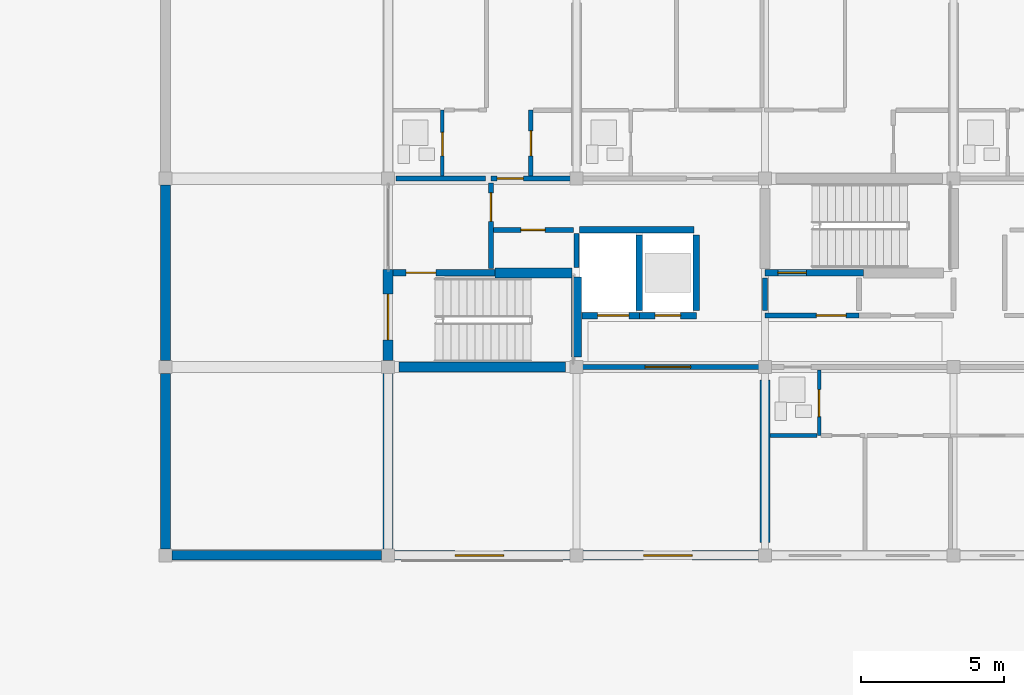
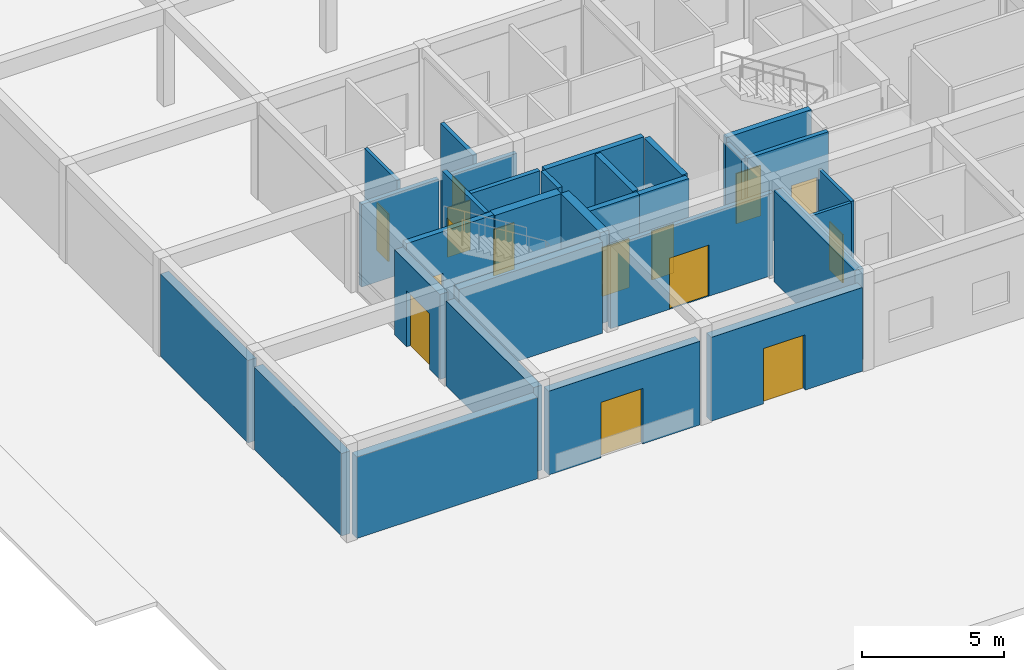
# One storey, part 48 of 75: 30 walls, 15 doors, 15 openings.
"""IFC4 building model written with IfcOpenShell, lengths in metres."""

from ifc_helpers import new_model, si_unit, direction, frame, frame_2d, origin, place, context, subcontext, project, spatial, rectangle, extrude, material, layer, layer_set, type_object, element, fill, save


model = new_model("IFC4")

# Units and contexts
model_context = context("Model", 3, precision=1e-05, world=origin(), true_north=direction((0.0, 1.0)))
body_context = subcontext(model_context, "Body", "Model", "MODEL_VIEW")
ifc_project = project(units=[si_unit("LENGTHUNIT", "METRE"), si_unit("AREAUNIT", "SQUARE_METRE"), si_unit("VOLUMEUNIT", "CUBIC_METRE"), si_unit("PLANEANGLEUNIT", "RADIAN"), si_unit("MASSUNIT", "GRAM", prefix="KILO")], contexts=[model_context])

# Site, building, storey
site_placement = place(None, origin())
site = spatial("IfcSite", under=ifc_project, at=site_placement, CompositionType="ELEMENT")
building_placement = place(site_placement, origin())
building = spatial("IfcBuilding", under=site, at=building_placement, Name="Kernevlak Ridge Housing Community", CompositionType="ELEMENT")
storey_placement = place(building_placement, origin())
storey = spatial("IfcBuildingStorey", under=building, at=storey_placement, Name="L00", CompositionType="ELEMENT", Elevation=0.0)

# Wall, opening, door
ifc_material_1 = material(Name="Concrete block masonry M10", Category="masonry")
ifc_layer_1 = layer(ifc_material_1, 0.340087890625, Name="Concrete block masonry M10")
ifc_layer_set_1 = layer_set([ifc_layer_1], Name="Concrete block masonry M10")
wall_type_1 = type_object("IfcWallType", Name="EW-04", PredefinedType="STANDARD", material=ifc_layer_set_1)
wall_1_placement = place(storey_placement, frame((15.824951171875, 15.60009765625, 0.0), z_axis=(0.0, 0.0, 1.0), x_axis=(1.0, 0.0, 0.0)))
wall_1 = element("IfcWall", 1, at=wall_1_placement, inside=storey, type_object=wall_type_1, Name="Exterior wall EW-04 L00 715", PredefinedType="STANDARD", context=body_context, shape_type="SweptSolid", body=[
    extrude(rectangle(XDim=6.150146484375, YDim=0.340087890625, at=frame_2d((3.0751953125, 0.0))), origin(), (0.0, 0.0, 1.0), 3.60009765625),
])
opening_1_placement = place(wall_1_placement, frame((2.125, 0.0, 0.0)))
opening_1 = element("IfcOpeningElement", 2, at=opening_1_placement, cuts=wall_1, Name="Opening E487", PredefinedType="OPENING", context=body_context, shape_type="SweptSolid", body=[
    extrude(rectangle(XDim=1.699951171875, YDim=2.3798828125, at=frame_2d((0.85009765625, 1.18994140625))), frame((0.0, 0.179931640625, 0.0), z_axis=(0.0, -1.0, 0.0), x_axis=(1.0, 0.0, 0.0)), (0.0, 0.0, 1.0), 0.360107421875),
])
ifc_material_2 = material(Name="Aluminium EN AW-6060 and laminated safety glass", Category="aluminium")
door_type_1 = type_object("IfcDoorType", Name="DT-35", OperationType="DOUBLE_DOOR_SINGLE_SWING", PredefinedType="DOOR", material=ifc_material_2)
door_1_placement = place(opening_1_placement, origin())
door_1 = element("IfcDoor", 3, at=door_1_placement, inside=storey, type_object=door_type_1, Name="Block D Main pedestrian entrance exit E487", OperationType="DOUBLE_DOOR_SINGLE_SWING", OverallHeight=2.3798828125, OverallWidth=1.699951171875, PredefinedType="DOOR", context=body_context, shape_type="SweptSolid", body=[
    extrude(rectangle(XDim=1.699951171875, YDim=2.3798828125, at=frame_2d((0.85009765625, 1.18994140625))), frame((0.0, 0.02490234375, 0.0), z_axis=(0.0, -1.0, 0.0), x_axis=(1.0, 0.0, 0.0)), (0.0, 0.0, 1.0), 0.050048828125),
])
fill(opening_1, door_1)

wall_2_placement = place(storey_placement, frame((22.425048828125, 15.60009765625, 0.0), z_axis=(0.0, 0.0, 1.0), x_axis=(1.0, 0.0, 0.0)))
wall_2 = element("IfcWall", 4, at=wall_2_placement, inside=storey, type_object=wall_type_1, Name="Exterior wall EW-04 L00 716", PredefinedType="STANDARD", context=body_context, shape_type="SweptSolid", body=[
    extrude(rectangle(XDim=6.14990234375, YDim=0.340087890625, at=frame_2d((3.074951171875, 0.0))), origin(), (0.0, 0.0, 1.0), 3.60009765625),
])
opening_2_placement = place(wall_2_placement, frame((2.125, 0.0, 0.0)))
opening_2 = element("IfcOpeningElement", 5, at=opening_2_placement, cuts=wall_2, Name="Opening E488", PredefinedType="OPENING", context=body_context, shape_type="SweptSolid", body=[
    extrude(rectangle(XDim=1.699951171875, YDim=2.3798828125, at=frame_2d((0.85009765625, 1.18994140625))), frame((0.0, 0.179931640625, 0.0), z_axis=(0.0, -1.0, 0.0), x_axis=(1.0, 0.0, 0.0)), (0.0, 0.0, 1.0), 0.360107421875),
])
door_2_placement = place(opening_2_placement, origin())
door_2 = element("IfcDoor", 6, at=door_2_placement, inside=storey, type_object=door_type_1, Name="Block D Main pedestrian entrance exit E488", OperationType="DOUBLE_DOOR_SINGLE_SWING", OverallHeight=2.3798828125, OverallWidth=1.699951171875, PredefinedType="DOOR", context=body_context, shape_type="SweptSolid", body=[
    extrude(rectangle(XDim=1.699951171875, YDim=2.3798828125, at=frame_2d((0.85009765625, 1.18994140625))), frame((0.0, 0.02490234375, 0.0), z_axis=(0.0, -1.0, 0.0), x_axis=(1.0, 0.0, 0.0)), (0.0, 0.0, 1.0), 0.050048828125),
])
fill(opening_2, door_2)

# Walls
wall_3_placement = place(storey_placement, frame((15.60009765625, 15.824951171875, 0.0), z_axis=(0.0, 0.0, 1.0), x_axis=(0.0, 1.0, 0.0)))
element("IfcWall", 7, at=wall_3_placement, inside=storey, type_object=wall_type_1, Name="Exterior wall EW-04 L00 723", PredefinedType="STANDARD", context=body_context, shape_type="SweptSolid", body=[
    extrude(rectangle(XDim=6.150146484375, YDim=0.340087890625, at=frame_2d((3.0751953125, 0.0))), origin(), (0.0, 0.0, 1.0), 3.64990234375),
])
wall_4_placement = place(storey_placement, frame((7.800048828125, 15.824951171875, 0.0), z_axis=(0.0, 0.0, 1.0), x_axis=(0.0, 1.0, 0.0)))
element("IfcWall", 8, at=wall_4_placement, inside=storey, type_object=wall_type_1, Name="Exterior wall EW-04 L00 855", PredefinedType="STANDARD", context=body_context, shape_type="SweptSolid", body=[
    extrude(rectangle(XDim=6.150146484375, YDim=0.340087890625, at=frame_2d((3.0751953125, 0.0))), origin(), (0.0, 0.0, 1.0), 3.550048828125),
])
wall_5_placement = place(storey_placement, frame((7.800048828125, 22.425048828125, 0.0), z_axis=(0.0, 0.0, 1.0), x_axis=(0.0, 1.0, 0.0)))
element("IfcWall", 9, at=wall_5_placement, inside=storey, type_object=wall_type_1, Name="Exterior wall EW-04 L00 856", PredefinedType="STANDARD", context=body_context, shape_type="SweptSolid", body=[
    extrude(rectangle(XDim=6.14990234375, YDim=0.340087890625, at=frame_2d((3.074951171875, 0.0))), origin(), (0.0, 0.0, 1.0), 3.550048828125),
])
wall_6_placement = place(storey_placement, frame((8.02490234375, 15.60009765625, 0.0), z_axis=(0.0, 0.0, 1.0), x_axis=(1.0, 0.0, 0.0)))
element("IfcWall", 10, at=wall_6_placement, inside=storey, type_object=wall_type_1, Name="Exterior wall EW-04 L00 900", PredefinedType="STANDARD", context=body_context, shape_type="SweptSolid", body=[
    extrude(rectangle(XDim=7.35009765625, YDim=0.340087890625, at=frame_2d((3.675048828125, 0.0))), origin(), (0.0, 0.0, 1.0), 3.5),
])

# Wall, opening, door
wall_7_placement = place(storey_placement, frame((15.60009765625, 22.425048828125, 0.0), z_axis=(0.0, 0.0, 1.0), x_axis=(0.0, 1.0, 0.0)))
wall_7 = element("IfcWall", 11, at=wall_7_placement, inside=storey, type_object=wall_type_1, Name="Exterior wall EW-04 L00 932", PredefinedType="STANDARD", context=body_context, shape_type="SweptSolid", body=[
    extrude(rectangle(XDim=3.18505859375, YDim=0.340087890625, at=frame_2d((1.592529296875, 0.0))), origin(), (0.0, 0.0, 1.0), 3.64990234375),
])
opening_3_placement = place(wall_7_placement, frame((0.72509765625, 0.0, 0.0)))
opening_3 = element("IfcOpeningElement", 12, at=opening_3_placement, cuts=wall_7, Name="Opening E831", PredefinedType="OPENING", context=body_context, shape_type="SweptSolid", body=[
    extrude(rectangle(XDim=1.60009765625, YDim=2.39990234375, at=frame_2d((0.800048828125, 1.199951171875))), frame((0.0, 0.179931640625, 0.0), z_axis=(0.0, -1.0, 0.0), x_axis=(1.0, 0.0, 0.0)), (0.0, 0.0, 1.0), 0.360107421875),
])
door_type_2 = type_object("IfcDoorType", Name="DT-13", OperationType="DOUBLE_DOOR_SINGLE_SWING", PredefinedType="DOOR", material=ifc_material_2)
door_3_placement = place(opening_3_placement, origin())
door_3 = element("IfcDoor", 13, at=door_3_placement, inside=storey, type_object=door_type_2, Name="Block D Stair 1 exit discharge door E831", OperationType="DOUBLE_DOOR_SINGLE_SWING", OverallHeight=2.39990234375, OverallWidth=1.60009765625, PredefinedType="DOOR", context=body_context, shape_type="SweptSolid", body=[
    extrude(rectangle(XDim=1.60009765625, YDim=2.39990234375, at=frame_2d((0.800048828125, 1.199951171875))), frame((0.0, 0.02490234375, 0.0), z_axis=(0.0, -1.0, 0.0), x_axis=(1.0, 0.0, 0.0)), (0.0, 0.0, 1.0), 0.050048828125),
])
fill(opening_3, door_3)

ifc_material_3 = material(Name="Concrete C35/45", Category="concrete")
ifc_layer_2 = layer(ifc_material_3, 0.22509765625, Name="Concrete C35/45")
ifc_layer_set_2 = layer_set([ifc_layer_2], Name="Concrete C35/45")
wall_type_2 = type_object("IfcWallType", Name="PW-01", PredefinedType="STANDARD", material=ifc_layer_set_2)
wall_8_placement = place(storey_placement, frame((15.780029296875, 25.5, 0.0), z_axis=(0.0, 0.0, 1.0), x_axis=(1.0, 0.0, 0.0)))
wall_8 = element("IfcWall", 14, at=wall_8_placement, inside=storey, type_object=wall_type_2, Name="Interior wall PW-01 WAL-INT-L00-2917", PredefinedType="STANDARD", context=body_context, shape_type="SweptSolid", body=[
    extrude(rectangle(XDim=3.570068359375, YDim=0.22509765625, at=frame_2d((1.78515625, 0.0))), origin(), (0.0, 0.0, 1.0), 3.919921875),
])
opening_4_placement = place(wall_8_placement, frame((0.449951171875, 0.0, 0.0)))
opening_4 = element("IfcOpeningElement", 15, at=opening_4_placement, cuts=wall_8, Name="Opening E479", PredefinedType="OPENING", context=body_context, shape_type="SweptSolid", body=[
    extrude(rectangle(XDim=1.0400390625, YDim=2.1201171875, at=frame_2d((0.52001953125, 1.06005859375))), frame((0.0, 0.12255859375, 0.0), z_axis=(0.0, -1.0, 0.0), x_axis=(1.0, 0.0, 0.0)), (0.0, 0.0, 1.0), 0.2451171875),
])
ifc_material_4 = material(Name="Fire-rated sheet steel leaf", Category="steel")
door_type_3 = type_object("IfcDoorType", Name="DT-16", OperationType="NOTDEFINED", PredefinedType="DOOR", material=ifc_material_4)
door_4_placement = place(opening_4_placement, origin())
door_4 = element("IfcDoor", 16, at=door_4_placement, inside=storey, type_object=door_type_3, Name="Block D Stair 1 fire door E479", OperationType="SINGLE_SWING_RIGHT", OverallHeight=2.1201171875, OverallWidth=1.0400390625, PredefinedType="DOOR", context=body_context, shape_type="SweptSolid", body=[
    extrude(rectangle(XDim=1.0400390625, YDim=2.1201171875, at=frame_2d((0.52001953125, 1.06005859375))), frame((0.0, 0.02490234375, 0.0), z_axis=(0.0, -1.0, 0.0), x_axis=(1.0, 0.0, 0.0)), (0.0, 0.0, 1.0), 0.050048828125),
])
fill(opening_4, door_4)

wall_9_placement = place(storey_placement, frame((22.385009765625, 24.0, 0.0), z_axis=(0.0, 0.0, 1.0), x_axis=(1.0, 0.0, 0.0)))
wall_9 = element("IfcWall", 17, at=wall_9_placement, inside=storey, type_object=wall_type_2, Name="Interior wall PW-01 WAL-INT-L00-2921", PredefinedType="STANDARD", context=body_context, shape_type="SweptSolid", body=[
    extrude(rectangle(XDim=2.014892578125, YDim=0.22509765625, at=frame_2d((1.00732421875, 0.0))), origin(), (0.0, 0.0, 1.0), 3.919921875),
])
opening_5_placement = place(wall_9_placement, frame((0.550048828125, 0.0, 0.0)))
opening_5 = element("IfcOpeningElement", 18, at=opening_5_placement, cuts=wall_9, Name="Opening LD78", PredefinedType="OPENING", context=body_context, shape_type="SweptSolid", body=[
    extrude(rectangle(XDim=1.10009765625, YDim=2.10009765625, at=frame_2d((0.550048828125, 1.050048828125))), frame((0.0, 0.12255859375, 0.0), z_axis=(0.0, -1.0, 0.0), x_axis=(1.0, 0.0, 0.0)), (0.0, 0.0, 1.0), 0.2451171875),
])
ifc_material_5 = material(Name="Stainless steel EN 1.4401", Category="steel")
door_type_4 = type_object("IfcDoorType", Name="DT-LD1", OperationType="DOUBLE_DOOR_SLIDING", PredefinedType="DOOR", material=ifc_material_5)
door_5_placement = place(opening_5_placement, origin())
door_5 = element("IfcDoor", 19, at=door_5_placement, inside=storey, type_object=door_type_4, Name="Lift LF-D1 landing door LD78", OperationType="DOUBLE_DOOR_SLIDING", OverallHeight=2.10009765625, OverallWidth=1.10009765625, PredefinedType="DOOR", context=body_context, shape_type="SweptSolid", body=[
    extrude(rectangle(XDim=1.10009765625, YDim=2.10009765625, at=frame_2d((0.550048828125, 1.050048828125))), frame((0.0, 0.02490234375, 0.0), z_axis=(0.0, -1.0, 0.0), x_axis=(1.0, 0.0, 0.0)), (0.0, 0.0, 1.0), 0.050048828125),
])
fill(opening_5, door_5)

wall_10_placement = place(storey_placement, frame((24.39990234375, 24.0, 0.0), z_axis=(0.0, 0.0, 1.0), x_axis=(1.0, 0.0, 0.0)))
wall_10 = element("IfcWall", 20, at=wall_10_placement, inside=storey, type_object=wall_type_2, Name="Interior wall PW-01 WAL-INT-L00-2922", PredefinedType="STANDARD", context=body_context, shape_type="SweptSolid", body=[
    extrude(rectangle(XDim=2.0, YDim=0.22509765625, at=frame_2d((1.0, 0.0))), origin(), (0.0, 0.0, 1.0), 3.919921875),
])
opening_6_placement = place(wall_10_placement, frame((0.550048828125, 0.0, 0.0)))
opening_6 = element("IfcOpeningElement", 21, at=opening_6_placement, cuts=wall_10, Name="Opening LD79", PredefinedType="OPENING", context=body_context, shape_type="SweptSolid", body=[
    extrude(rectangle(XDim=0.89990234375, YDim=2.10009765625, at=frame_2d((0.449951171875, 1.050048828125))), frame((0.0, 0.12255859375, 0.0), z_axis=(0.0, -1.0, 0.0), x_axis=(1.0, 0.0, 0.0)), (0.0, 0.0, 1.0), 0.2451171875),
])
door_type_5 = type_object("IfcDoorType", Name="DT-LD2", OperationType="DOUBLE_DOOR_SLIDING", PredefinedType="DOOR", material=ifc_material_5)
door_6_placement = place(opening_6_placement, origin())
door_6 = element("IfcDoor", 22, at=door_6_placement, inside=storey, type_object=door_type_5, Name="Lift LF-D2 landing door LD79", OperationType="DOUBLE_DOOR_SLIDING", OverallHeight=2.10009765625, OverallWidth=0.89990234375, PredefinedType="DOOR", context=body_context, shape_type="SweptSolid", body=[
    extrude(rectangle(XDim=0.89990234375, YDim=2.10009765625, at=frame_2d((0.449951171875, 1.050048828125))), frame((0.0, 0.02490234375, 0.0), z_axis=(0.0, -1.0, 0.0), x_axis=(1.0, 0.0, 0.0)), (0.0, 0.0, 1.0), 0.050048828125),
])
fill(opening_6, door_6)

# Walls
wall_11_placement = place(storey_placement, frame((22.297607421875, 27.0, 0.0), z_axis=(0.0, 0.0, 1.0), x_axis=(1.0, 0.0, 0.0)))
element("IfcWall", 23, at=wall_11_placement, inside=storey, type_object=wall_type_2, Name="Interior wall PW-01 WAL-INT-L00-2923", PredefinedType="STANDARD", context=body_context, shape_type="SweptSolid", body=[
    extrude(rectangle(XDim=4.0224609375, YDim=0.22509765625, at=frame_2d((2.01123046875, 0.0))), origin(), (0.0, 0.0, 1.0), 3.919921875),
])
for number, where, z_axis, x_axis, name in (
    (24, (24.39990234375, 24.179931640625, 0.0), (0.0, 0.0, 1.0), (0.0, 1.0, 0.0), "Interior wall PW-01 WAL-INT-L00-2925"),
    (25, (26.39990234375, 24.179931640625, 0.0), (0.0, 0.0, 1.0), (0.0, 1.0, 0.0), "Interior wall PW-01 WAL-INT-L00-2926"),
):
    element("IfcWall", number, at=place(storey_placement, frame(where, z_axis=z_axis, x_axis=x_axis)), inside=storey, type_object=wall_type_2, Name=name, PredefinedType="STANDARD", context=body_context, shape_type="SweptSolid", body=[
        extrude(rectangle(XDim=2.64013671875, YDim=0.22509765625, at=frame_2d((1.320068359375, 0.0))), origin(), (0.0, 0.0, 1.0), 3.919921875),
    ])

# Wall, opening, door
wall_12_placement = place(storey_placement, frame((28.800048828125, 25.5, 0.0), z_axis=(0.0, 0.0, 1.0), x_axis=(1.0, 0.0, 0.0)))
wall_12 = element("IfcWall", 26, at=wall_12_placement, inside=storey, type_object=wall_type_2, Name="Interior wall PW-01 WAL-INT-L00-2927", PredefinedType="STANDARD", context=body_context, shape_type="SweptSolid", body=[
    extrude(rectangle(XDim=3.449951171875, YDim=0.22509765625, at=frame_2d((1.72509765625, 0.0))), origin(), (0.0, 0.0, 1.0), 3.919921875),
])
opening_7_placement = place(wall_12_placement, frame((0.449951171875, 0.0, 0.0)))
opening_7 = element("IfcOpeningElement", 27, at=opening_7_placement, cuts=wall_12, Name="Opening E482", PredefinedType="OPENING", context=body_context, shape_type="SweptSolid", body=[
    extrude(rectangle(XDim=1.0, YDim=2.159912109375, at=frame_2d((0.5, 1.080078125))), frame((0.0, 0.12255859375, 0.0), z_axis=(0.0, -1.0, 0.0), x_axis=(1.0, 0.0, 0.0)), (0.0, 0.0, 1.0), 0.2451171875),
])
door_type_6 = type_object("IfcDoorType", Name="DT-15", OperationType="NOTDEFINED", PredefinedType="DOOR", material=ifc_material_4)
door_7_placement = place(opening_7_placement, origin())
door_7 = element("IfcDoor", 28, at=door_7_placement, inside=storey, type_object=door_type_6, Name="Block D Stair 2 fire door E482", OperationType="SINGLE_SWING_LEFT", OverallHeight=2.159912109375, OverallWidth=1.0, PredefinedType="DOOR", context=body_context, shape_type="SweptSolid", body=[
    extrude(rectangle(XDim=1.0, YDim=2.159912109375, at=frame_2d((0.5, 1.080078125))), frame((0.0, 0.02490234375, 0.0), z_axis=(0.0, -1.0, 0.0), x_axis=(1.0, 0.0, 0.0)), (0.0, 0.0, 1.0), 0.050048828125),
])
fill(opening_7, door_7)

ifc_layer_3 = layer(ifc_material_1, 0.175048828125, Name="Concrete block masonry M10")
ifc_layer_set_3 = layer_set([ifc_layer_3], Name="Concrete block masonry M10")
wall_type_3 = type_object("IfcWallType", Name="PW-02", PredefinedType="PARTITIONING", material=ifc_layer_set_3)
wall_13_placement = place(storey_placement, frame((19.199951171875, 25.64990234375, 0.0), z_axis=(0.0, 0.0, 1.0), x_axis=(0.0, 1.0, 0.0)))
wall_13 = element("IfcWall", 29, at=wall_13_placement, inside=storey, type_object=wall_type_3, Name="Interior wall PW-02 WAL-INT-L00-2918", PredefinedType="PARTITIONING", context=body_context, shape_type="SweptSolid", body=[
    extrude(rectangle(XDim=3.0, YDim=0.175048828125, at=frame_2d((1.5, 0.0))), origin(), (0.0, 0.0, 1.0), 3.919921875),
])
opening_8_placement = place(wall_13_placement, frame((1.64990234375, 0.0, 0.0)))
opening_8 = element("IfcOpeningElement", 30, at=opening_8_placement, cuts=wall_13, Name="Opening E480", PredefinedType="OPENING", context=body_context, shape_type="SweptSolid", body=[
    extrude(rectangle(XDim=1.0, YDim=2.10009765625, at=frame_2d((0.5, 1.050048828125))), frame((0.0, 0.097412109375, 0.0), z_axis=(0.0, -1.0, 0.0), x_axis=(1.0, 0.0, 0.0)), (0.0, 0.0, 1.0), 0.195068359375),
])
door_type_7 = type_object("IfcDoorType", Name="DT-05", OperationType="NOTDEFINED", PredefinedType="DOOR", material=ifc_material_4)
door_8_placement = place(opening_8_placement, origin())
door_8 = element("IfcDoor", 31, at=door_8_placement, inside=storey, type_object=door_type_7, Name="Block D Firefighting lobby 1 door E480", OperationType="SINGLE_SWING_LEFT", OverallHeight=2.10009765625, OverallWidth=1.0, PredefinedType="DOOR", context=body_context, shape_type="SweptSolid", body=[
    extrude(rectangle(XDim=1.0, YDim=2.10009765625, at=frame_2d((0.5, 1.050048828125))), frame((0.0, 0.02490234375, 0.0), z_axis=(0.0, -1.0, 0.0), x_axis=(1.0, 0.0, 0.0)), (0.0, 0.0, 1.0), 0.050048828125),
])
fill(opening_8, door_8)

wall_14_placement = place(storey_placement, frame((19.300048828125, 27.0, 0.0), z_axis=(0.0, 0.0, 1.0), x_axis=(1.0, 0.0, 0.0)))
wall_14 = element("IfcWall", 32, at=wall_14_placement, inside=storey, type_object=wall_type_3, Name="Interior wall PW-02 WAL-INT-L00-2919", PredefinedType="PARTITIONING", context=body_context, shape_type="SweptSolid", body=[
    extrude(rectangle(XDim=2.800048828125, YDim=0.175048828125, at=frame_2d((1.39990234375, 0.0))), origin(), (0.0, 0.0, 1.0), 3.919921875),
])
opening_9_placement = place(wall_14_placement, frame((0.949951171875, 0.0, 0.0)))
opening_9 = element("IfcOpeningElement", 33, at=opening_9_placement, cuts=wall_14, Name="Opening E481", PredefinedType="OPENING", context=body_context, shape_type="SweptSolid", body=[
    extrude(rectangle(XDim=0.85009765625, YDim=2.0, at=frame_2d((0.425048828125, 1.0))), frame((0.0, 0.097412109375, 0.0), z_axis=(0.0, -1.0, 0.0), x_axis=(1.0, 0.0, 0.0)), (0.0, 0.0, 1.0), 0.195068359375),
])
door_type_8 = type_object("IfcDoorType", Name="DT-07", OperationType="NOTDEFINED", PredefinedType="DOOR", material=ifc_material_4)
door_9_placement = place(opening_9_placement, origin())
door_9 = element("IfcDoor", 34, at=door_9_placement, inside=storey, type_object=door_type_8, Name="Block D Riser shaft door E481", OperationType="SINGLE_SWING_RIGHT", OverallHeight=2.0, OverallWidth=0.85009765625, PredefinedType="DOOR", context=body_context, shape_type="SweptSolid", body=[
    extrude(rectangle(XDim=0.85009765625, YDim=2.0, at=frame_2d((0.425048828125, 1.0))), frame((0.0, 0.02490234375, 0.0), z_axis=(0.0, -1.0, 0.0), x_axis=(1.0, 0.0, 0.0)), (0.0, 0.0, 1.0), 0.050048828125),
])
fill(opening_9, door_9)

# Wall
wall_15_placement = place(storey_placement, frame((22.199951171875, 25.679931640625, 0.0), z_axis=(0.0, 0.0, 1.0), x_axis=(0.0, 1.0, 0.0)))
element("IfcWall", 35, at=wall_15_placement, inside=storey, type_object=wall_type_3, Name="Interior wall PW-02 WAL-INT-L00-2920", PredefinedType="PARTITIONING", context=body_context, shape_type="SweptSolid", body=[
    extrude(rectangle(XDim=1.190185546875, YDim=0.175048828125, at=frame_2d((0.59521484375, 0.0))), origin(), (0.0, 0.0, 1.0), 3.919921875),
])

# Wall, opening, door
wall_16_placement = place(storey_placement, frame((28.800048828125, 24.0, 0.0), z_axis=(0.0, 0.0, 1.0), x_axis=(1.0, 0.0, 0.0)))
wall_16 = element("IfcWall", 36, at=wall_16_placement, inside=storey, type_object=wall_type_3, Name="Interior wall PW-02 WAL-INT-L00-2928", PredefinedType="PARTITIONING", context=body_context, shape_type="SweptSolid", body=[
    extrude(rectangle(XDim=3.300048828125, YDim=0.175048828125, at=frame_2d((1.64990234375, 0.0))), origin(), (0.0, 0.0, 1.0), 3.919921875),
])
opening_10_placement = place(wall_16_placement, frame((1.800048828125, 0.0, 0.0)))
opening_10 = element("IfcOpeningElement", 37, at=opening_10_placement, cuts=wall_16, Name="Opening E483", PredefinedType="OPENING", context=body_context, shape_type="SweptSolid", body=[
    extrude(rectangle(XDim=1.0400390625, YDim=2.1201171875, at=frame_2d((0.52001953125, 1.06005859375))), frame((0.0, 0.097412109375, 0.0), z_axis=(0.0, -1.0, 0.0), x_axis=(1.0, 0.0, 0.0)), (0.0, 0.0, 1.0), 0.195068359375),
])
door_10_placement = place(opening_10_placement, origin())
door_10 = element("IfcDoor", 38, at=door_10_placement, inside=storey, type_object=door_type_3, Name="Block D Firefighting lobby 2 door E483", OperationType="SINGLE_SWING_RIGHT", OverallHeight=2.1201171875, OverallWidth=1.0400390625, PredefinedType="DOOR", context=body_context, shape_type="SweptSolid", body=[
    extrude(rectangle(XDim=1.0400390625, YDim=2.1201171875, at=frame_2d((0.52001953125, 1.06005859375))), frame((0.0, 0.02490234375, 0.0), z_axis=(0.0, -1.0, 0.0), x_axis=(1.0, 0.0, 0.0)), (0.0, 0.0, 1.0), 0.050048828125),
])
fill(opening_10, door_10)

# Wall
wall_17_placement = place(storey_placement, frame((28.800048828125, 24.179931640625, 0.0), z_axis=(0.0, 0.0, 1.0), x_axis=(0.0, 1.0, 0.0)))
element("IfcWall", 39, at=wall_17_placement, inside=storey, type_object=wall_type_3, Name="Interior wall PW-02 WAL-INT-L00-2930", PredefinedType="PARTITIONING", context=body_context, shape_type="SweptSolid", body=[
    extrude(rectangle(XDim=1.14013671875, YDim=0.175048828125, at=frame_2d((0.570068359375, 0.0))), origin(), (0.0, 0.0, 1.0), 3.75),
])

# Wall, opening, door
wall_18_placement = place(storey_placement, frame((22.199951171875, 22.199951171875, 0.0), z_axis=(0.0, 0.0, 1.0), x_axis=(1.0, 0.0, 0.0)))
wall_18 = element("IfcWall", 40, at=wall_18_placement, inside=storey, type_object=wall_type_3, Name="Interior wall PW-02 WAL-INT-L00-2936", PredefinedType="PARTITIONING", context=body_context, shape_type="SweptSolid", body=[
    extrude(rectangle(XDim=6.60009765625, YDim=0.175048828125, at=frame_2d((3.300048828125, 0.0))), origin(), (0.0, 0.0, 1.0), 3.550048828125),
])
opening_11_placement = place(wall_18_placement, frame((2.39990234375, 0.0, 0.0)))
opening_11 = element("IfcOpeningElement", 41, at=opening_11_placement, cuts=wall_18, Name="Opening E486", PredefinedType="OPENING", context=body_context, shape_type="SweptSolid", body=[
    extrude(rectangle(XDim=1.60009765625, YDim=2.199951171875, at=frame_2d((0.800048828125, 1.10009765625))), frame((0.0, 0.097412109375, 0.0), z_axis=(0.0, -1.0, 0.0), x_axis=(1.0, 0.0, 0.0)), (0.0, 0.0, 1.0), 0.195068359375),
])
ifc_material_6 = material(Name="Fire-rated sheet steel and fire-resistant glass", Category="steel")
door_type_9 = type_object("IfcDoorType", Name="DT-09", OperationType="DOUBLE_DOOR_SINGLE_SWING", PredefinedType="DOOR", material=ifc_material_6)
door_11_placement = place(opening_11_placement, origin())
door_11 = element("IfcDoor", 42, at=door_11_placement, inside=storey, type_object=door_type_9, Name="Block D Ground lobby inner fire door E486", OperationType="DOUBLE_DOOR_SINGLE_SWING", OverallHeight=2.199951171875, OverallWidth=1.60009765625, PredefinedType="DOOR", context=body_context, shape_type="SweptSolid", body=[
    extrude(rectangle(XDim=1.60009765625, YDim=2.199951171875, at=frame_2d((0.800048828125, 1.10009765625))), frame((0.0, 0.02490234375, 0.0), z_axis=(0.0, -1.0, 0.0), x_axis=(1.0, 0.0, 0.0)), (0.0, 0.0, 1.0), 0.050048828125),
])
fill(opening_11, door_11)

# Wall
wall_19_placement = place(storey_placement, frame((15.8798828125, 28.800048828125, 0.0), z_axis=(0.0, 0.0, 1.0), x_axis=(1.0, 0.0, 0.0)))
element("IfcWall", 43, at=wall_19_placement, inside=storey, type_object=wall_type_3, Name="Interior wall PW-02 WAL-INT-L00-2948", PredefinedType="PARTITIONING", context=body_context, shape_type="SweptSolid", body=[
    extrude(rectangle(XDim=3.14013671875, YDim=0.175048828125, at=frame_2d((1.570068359375, 0.0))), origin(), (0.0, 0.0, 1.0), 3.550048828125),
])

# Wall, opening, door
wall_20_placement = place(storey_placement, frame((19.199951171875, 28.800048828125, 0.0), z_axis=(0.0, 0.0, 1.0), x_axis=(1.0, 0.0, 0.0)))
wall_20 = element("IfcWall", 44, at=wall_20_placement, inside=storey, type_object=wall_type_3, Name="Interior wall PW-02 WAL-INT-L00-2949", PredefinedType="PARTITIONING", context=body_context, shape_type="SweptSolid", body=[
    extrude(rectangle(XDim=3.0, YDim=0.175048828125, at=frame_2d((1.5, 0.0))), origin(), (0.0, 0.0, 1.0), 3.550048828125),
])
opening_12_placement = place(wall_20_placement, frame((0.219970703125, 0.0, 0.0)))
opening_12 = element("IfcOpeningElement", 45, at=opening_12_placement, cuts=wall_20, Name="Opening E495", PredefinedType="OPENING", context=body_context, shape_type="SweptSolid", body=[
    extrude(rectangle(XDim=0.919921875, YDim=2.139892578125, at=frame_2d((0.4599609375, 1.06982421875))), frame((0.0, 0.097412109375, 0.0), z_axis=(0.0, -1.0, 0.0), x_axis=(1.0, 0.0, 0.0)), (0.0, 0.0, 1.0), 0.195068359375),
])
ifc_material_7 = material(Name="Hardwood timber solid-core fire leaf", Category="wood")
door_type_10 = type_object("IfcDoorType", Name="DT-20", OperationType="NOTDEFINED", PredefinedType="DOOR", material=ifc_material_7)
door_12_placement = place(opening_12_placement, origin())
door_12 = element("IfcDoor", 46, at=door_12_placement, inside=storey, type_object=door_type_10, Name="Flat D0021 entrance fire door E495", OperationType="SINGLE_SWING_RIGHT", OverallHeight=2.139892578125, OverallWidth=0.919921875, PredefinedType="DOOR", context=body_context, shape_type="SweptSolid", body=[
    extrude(rectangle(XDim=0.919921875, YDim=2.139892578125, at=frame_2d((0.4599609375, 1.06982421875))), frame((0.0, 0.02490234375, 0.0), z_axis=(0.0, -1.0, 0.0), x_axis=(1.0, 0.0, 0.0)), (0.0, 0.0, 1.0), 0.050048828125),
])
fill(opening_12, door_12)

ifc_material_8 = material(Name="Gypsum plasterboard EN 520", Category="gypsum")
ifc_layer_4 = layer(ifc_material_8, 0.125, Name="Gypsum plasterboard EN 520")
ifc_layer_set_4 = layer_set([ifc_layer_4], Name="Gypsum plasterboard EN 520")
wall_type_4 = type_object("IfcWallType", Name="PW-04", PredefinedType="PARTITIONING", material=ifc_layer_set_4)
wall_21_placement = place(storey_placement, frame((30.699951171875, 22.1025390625, 0.0), z_axis=(0.0, 0.0, 1.0), x_axis=(0.0, -1.0, 0.0)))
wall_21 = element("IfcWall", 47, at=wall_21_placement, inside=storey, type_object=wall_type_4, Name="Interior wall PW-04 WAL-INT-L00-2938", PredefinedType="PARTITIONING", context=body_context, shape_type="SweptSolid", body=[
    extrude(rectangle(XDim=2.302490234375, YDim=0.125, at=frame_2d((1.1513671875, 0.0))), origin(), (0.0, 0.0, 1.0), 3.919921875),
])
opening_13_placement = place(wall_21_placement, frame((0.699951171875, 0.0, 0.0)))
opening_13 = element("IfcOpeningElement", 48, at=opening_13_placement, cuts=wall_21, Name="Opening E490", PredefinedType="OPENING", context=body_context, shape_type="SweptSolid", body=[
    extrude(rectangle(XDim=0.93994140625, YDim=2.080078125, at=frame_2d((0.469970703125, 1.0400390625))), frame((0.0, 0.072509765625, 0.0), z_axis=(0.0, -1.0, 0.0), x_axis=(1.0, 0.0, 0.0)), (0.0, 0.0, 1.0), 0.14501953125),
])
ifc_material_9 = material(Name="Hardwood timber moisture-resistant leaf", Category="wood")
door_type_11 = type_object("IfcDoorType", Name="DT-23", OperationType="NOTDEFINED", PredefinedType="DOOR", material=ifc_material_9)
door_13_placement = place(opening_13_placement, origin())
door_13 = element("IfcDoor", 49, at=door_13_placement, inside=storey, type_object=door_type_11, Name="Flat D0012 bathroom door E490", OperationType="SINGLE_SWING_LEFT", OverallHeight=2.080078125, OverallWidth=0.93994140625, PredefinedType="DOOR", context=body_context, shape_type="SweptSolid", body=[
    extrude(rectangle(XDim=0.93994140625, YDim=2.080078125, at=frame_2d((0.469970703125, 1.0400390625))), frame((0.0, 0.02490234375, 0.0), z_axis=(0.0, -1.0, 0.0), x_axis=(1.0, 0.0, 0.0)), (0.0, 0.0, 1.0), 0.050048828125),
])
fill(opening_13, door_13)

# Wall
wall_22_placement = place(storey_placement, frame((28.985107421875, 19.800048828125, 0.0), z_axis=(0.0, 0.0, 1.0), x_axis=(1.0, 0.0, 0.0)))
element("IfcWall", 50, at=wall_22_placement, inside=storey, type_object=wall_type_4, Name="Interior wall PW-04 WAL-INT-L00-2939", PredefinedType="PARTITIONING", context=body_context, shape_type="SweptSolid", body=[
    extrude(rectangle(XDim=1.635009765625, YDim=0.125, at=frame_2d((0.8173828125, 0.0))), origin(), (0.0, 0.0, 1.0), 3.919921875),
])

# Wall, opening, door
wall_23_placement = place(storey_placement, frame((17.5, 28.8974609375, 0.0), z_axis=(0.0, 0.0, 1.0), x_axis=(0.0, 1.0, 0.0)))
wall_23 = element("IfcWall", 51, at=wall_23_placement, inside=storey, type_object=wall_type_4, Name="Interior wall PW-04 WAL-INT-L00-2950", PredefinedType="PARTITIONING", context=body_context, shape_type="SweptSolid", body=[
    extrude(rectangle(XDim=2.302490234375, YDim=0.125, at=frame_2d((1.1513671875, 0.0))), origin(), (0.0, 0.0, 1.0), 3.919921875),
])
opening_14_placement = place(wall_23_placement, frame((0.699951171875, 0.0, 0.0)))
opening_14 = element("IfcOpeningElement", 52, at=opening_14_placement, cuts=wall_23, Name="Opening E496", PredefinedType="OPENING", context=body_context, shape_type="SweptSolid", body=[
    extrude(rectangle(XDim=0.820068359375, YDim=2.050048828125, at=frame_2d((0.41015625, 1.02490234375))), frame((0.0, 0.072509765625, 0.0), z_axis=(0.0, -1.0, 0.0), x_axis=(1.0, 0.0, 0.0)), (0.0, 0.0, 1.0), 0.14501953125),
])
door_type_12 = type_object("IfcDoorType", Name="DT-30", OperationType="NOTDEFINED", PredefinedType="DOOR", material=ifc_material_9)
door_14_placement = place(opening_14_placement, origin())
door_14 = element("IfcDoor", 53, at=door_14_placement, inside=storey, type_object=door_type_12, Name="Flat D0021 bathroom door E496", OperationType="SINGLE_SWING_LEFT", OverallHeight=2.050048828125, OverallWidth=0.820068359375, PredefinedType="DOOR", context=body_context, shape_type="SweptSolid", body=[
    extrude(rectangle(XDim=0.820068359375, YDim=2.050048828125, at=frame_2d((0.41015625, 1.02490234375))), frame((0.0, 0.02490234375, 0.0), z_axis=(0.0, -1.0, 0.0), x_axis=(1.0, 0.0, 0.0)), (0.0, 0.0, 1.0), 0.050048828125),
])
fill(opening_14, door_14)

ifc_layer_5 = layer(ifc_material_8, 0.155029296875, Name="Gypsum plasterboard EN 520")
ifc_layer_set_5 = layer_set([ifc_layer_5], Name="Gypsum plasterboard EN 520")
wall_type_5 = type_object("IfcWallType", Name="PW-05", PredefinedType="PARTITIONING", material=ifc_layer_set_5)
wall_24_placement = place(storey_placement, frame((20.60009765625, 28.8974609375, 0.0), z_axis=(0.0, 0.0, 1.0), x_axis=(0.0, 1.0, 0.0)))
wall_24 = element("IfcWall", 54, at=wall_24_placement, inside=storey, type_object=wall_type_5, Name="Interior wall PW-05 WAL-INT-L00-2952", PredefinedType="PARTITIONING", context=body_context, shape_type="SweptSolid", body=[
    extrude(rectangle(XDim=2.302490234375, YDim=0.155029296875, at=frame_2d((1.1513671875, 0.0))), origin(), (0.0, 0.0, 1.0), 3.919921875),
])
opening_15_placement = place(wall_24_placement, frame((0.699951171875, 0.0, 0.0)))
opening_15 = element("IfcOpeningElement", 55, at=opening_15_placement, cuts=wall_24, Name="Opening E497", PredefinedType="OPENING", context=body_context, shape_type="SweptSolid", body=[
    extrude(rectangle(XDim=0.8701171875, YDim=2.080078125, at=frame_2d((0.43505859375, 1.0400390625))), frame((0.0, 0.08740234375, 0.0), z_axis=(0.0, -1.0, 0.0), x_axis=(1.0, 0.0, 0.0)), (0.0, 0.0, 1.0), 0.175048828125),
])
ifc_material_10 = material(Name="Hardwood timber leaf", Category="wood")
door_type_13 = type_object("IfcDoorType", Name="DT-32", OperationType="NOTDEFINED", PredefinedType="DOOR", material=ifc_material_10)
door_15_placement = place(opening_15_placement, origin())
door_15 = element("IfcDoor", 56, at=door_15_placement, inside=storey, type_object=door_type_13, Name="Flat D0021 kitchen door E497", OperationType="SINGLE_SWING_RIGHT", OverallHeight=2.080078125, OverallWidth=0.8701171875, PredefinedType="DOOR", context=body_context, shape_type="SweptSolid", body=[
    extrude(rectangle(XDim=0.8701171875, YDim=2.080078125, at=frame_2d((0.43505859375, 1.0400390625))), frame((0.0, 0.02490234375, 0.0), z_axis=(0.0, -1.0, 0.0), x_axis=(1.0, 0.0, 0.0)), (0.0, 0.0, 1.0), 0.050048828125),
])
fill(opening_15, door_15)

# Walls
ifc_material_11 = material(Name="Concrete C40/50", Category="concrete")
ifc_layer_6 = layer(ifc_material_11, 0.35009765625, Name="Concrete C40/50")
ifc_layer_set_6 = layer_set([ifc_layer_6], Name="Concrete C40/50")
wall_type_6 = type_object("IfcWallType", Name="SW-01", PredefinedType="SHEAR", material=ifc_layer_set_6)
wall_25_placement = place(storey_placement, frame((15.97998046875, 22.199951171875, 0.0), z_axis=(0.0, 0.0, 1.0), x_axis=(1.0, 0.0, 0.0)))
element("IfcWall", 57, at=wall_25_placement, inside=storey, type_object=wall_type_6, Name="Shear wall SW-01 Block D L00 507", PredefinedType="SHEAR", context=body_context, shape_type="SweptSolid", body=[
    extrude(rectangle(XDim=5.840087890625, YDim=0.35009765625, at=frame_2d((2.919921875, 0.0))), origin(), (0.0, 0.0, 1.0), 3.919921875),
])
wall_26_placement = place(storey_placement, frame((19.35009765625, 25.5, 0.0), z_axis=(0.0, 0.0, 1.0), x_axis=(1.0, 0.0, 0.0)))
element("IfcWall", 58, at=wall_26_placement, inside=storey, type_object=wall_type_6, Name="Shear wall SW-01 Block D L00 508", PredefinedType="SHEAR", context=body_context, shape_type="SweptSolid", body=[
    extrude(rectangle(XDim=2.699951171875, YDim=0.35009765625, at=frame_2d((1.35009765625, 0.0))), origin(), (0.0, 0.0, 1.0), 3.919921875),
])
wall_27_placement = place(storey_placement, frame((22.199951171875, 22.550048828125, 0.0), z_axis=(0.0, 0.0, 1.0), x_axis=(0.0, 1.0, 0.0)))
element("IfcWall", 59, at=wall_27_placement, inside=storey, type_object=wall_type_6, Name="Shear wall SW-01 Block D L00 509", PredefinedType="SHEAR", context=body_context, shape_type="SweptSolid", body=[
    extrude(rectangle(XDim=2.800048828125, YDim=0.35009765625, at=frame_2d((1.39990234375, 0.0))), origin(), (0.0, 0.0, 1.0), 3.919921875),
])
wall_28_placement = place(storey_placement, frame((28.800048828125, 16.050048828125, 0.0), z_axis=(0.0, 0.0, 1.0), x_axis=(0.0, 1.0, 0.0)))
element("IfcWall", 60, at=wall_28_placement, inside=storey, type_object=wall_type_6, Name="Shear wall SW-01 Block D L00 514", PredefinedType="SHEAR", context=body_context, shape_type="SweptSolid", body=[
    extrude(rectangle(XDim=5.699951171875, YDim=0.35009765625, at=frame_2d((2.85009765625, 0.0))), origin(), (0.0, 0.0, 1.0), 3.919921875),
])

save(model, "model.ifc")
